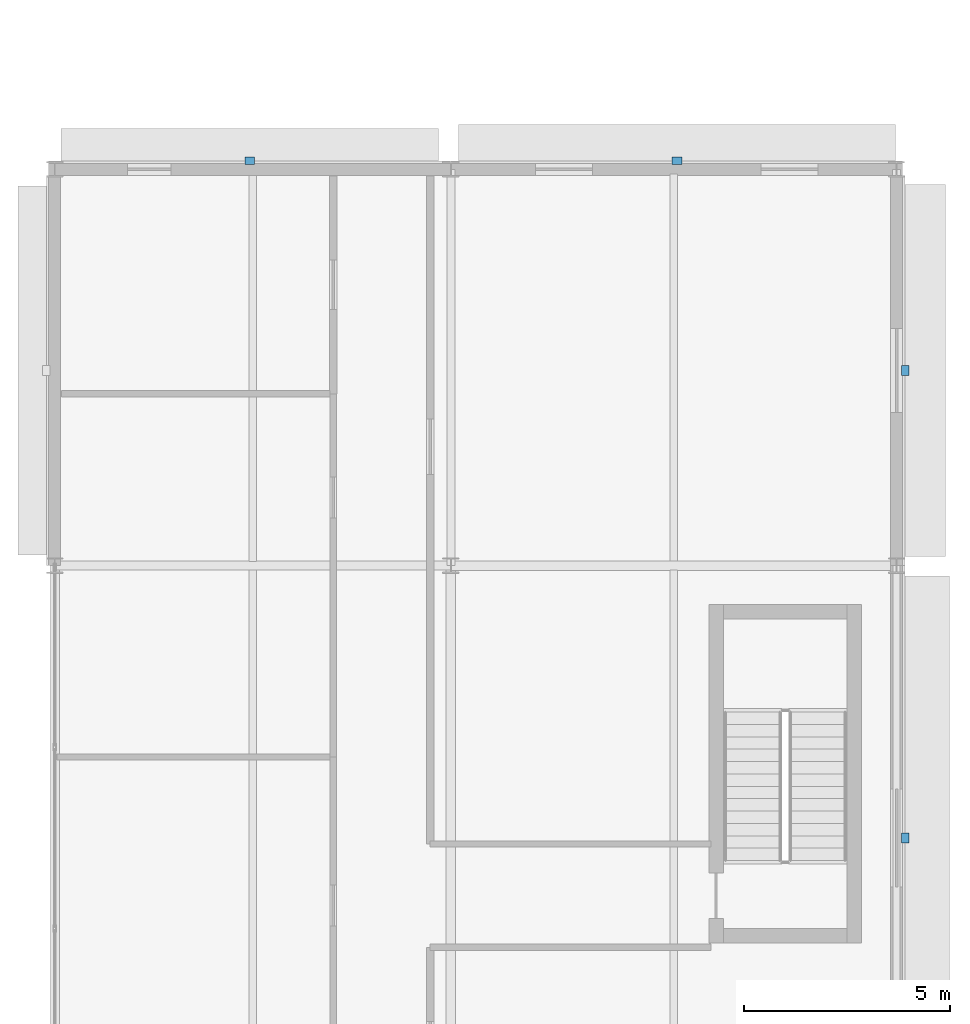
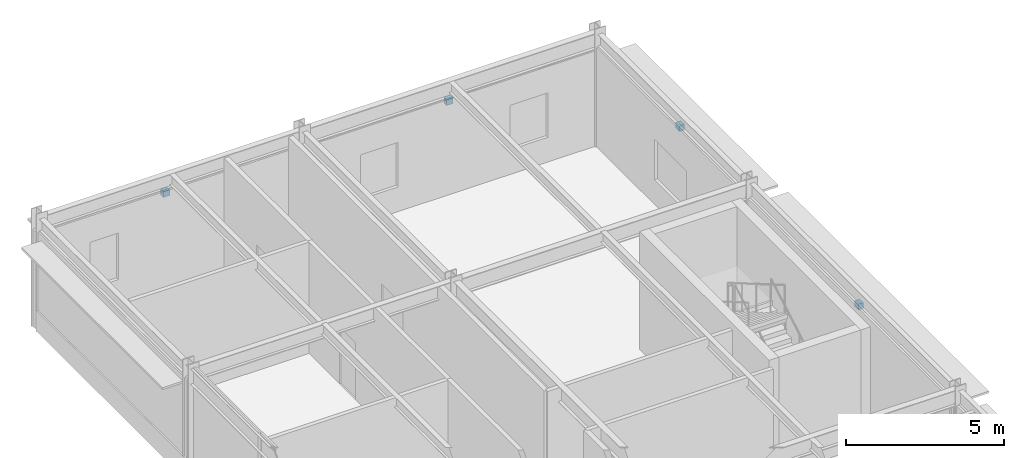
# One storey, part 99 of 116: 4 discrete accessories.
"""IFC4 building model written with IfcOpenShell, lengths in metres."""

import ifcopenshell
import ifcopenshell.guid

model = None  # the IFC model being written
_history = None  # IfcOwnerHistory: only IFC2X3 demands one
_inside = {}  # id of a spatial element -> (the spatial element, [elements in it])
_under = {}  # id of a project, library or spatial element -> (it, [spatial elements below it])
_declared = {}  # id of a project -> (the project, [libraries it declares])
_typed = {}  # id of a type object -> (the type object, [elements of that type])
_made_of = {}  # id of a material, layer set ... -> (it, [elements and type objects made of it])


def new_model(schema):
    """Start an empty IFC model of exactly this schema.

    Asked for "IFC4X3", IfcOpenShell would pick the latest addendum, in which some entities
    have other attributes; the version numbers below select the first issue.
    IFC2X3 requires an IfcOwnerHistory on every rooted entity: one is made here for all.
    """
    global model, _history
    if schema == "IFC4X3":
        model = ifcopenshell.file(schema_version=(4, 3, 0, 0))
    else:
        model = ifcopenshell.file(schema=schema)
    _inside.clear()
    _under.clear()
    _declared.clear()
    _typed.clear()
    _made_of.clear()
    _history = None
    if model.schema == "IFC2X3":
        org = make("IfcOrganization", Name="unknown")
        user = make(
            "IfcPersonAndOrganization",
            ThePerson=make("IfcPerson", FamilyName="unknown"),
            TheOrganization=org,
        )
        app = make(
            "IfcApplication",
            ApplicationDeveloper=org,
            Version="unknown",
            ApplicationFullName="unknown",
            ApplicationIdentifier="unknown",
        )
        _history = make(
            "IfcOwnerHistory",
            OwningUser=user,
            OwningApplication=app,
            ChangeAction="ADDED",
            CreationDate=0,
        )
    return model


def make(cls, **values):
    """One entity of the class cls with the attributes given. An attribute that is None is left unset."""
    return model.create_entity(
        cls, **{name: value for name, value in values.items() if value is not None}
    )


def rooted(cls, **values):
    """An entity with a GlobalId (a new one), such as an element, a storey or a relation."""
    return make(cls, GlobalId=ifcopenshell.guid.new(), OwnerHistory=_history, **values)


def si_unit(unit_type, name, prefix=None):
    """IfcSIUnit, for example si_unit("LENGTHUNIT", "METRE", prefix="MILLI")."""
    return make("IfcSIUnit", UnitType=unit_type, Prefix=prefix, Name=name)


def assignment(units):
    """IfcUnitAssignment: the units of a project."""
    return None if units is None else make("IfcUnitAssignment", Units=units)


def point(xyz):
    """IfcCartesianPoint."""
    return None if xyz is None else make("IfcCartesianPoint", Coordinates=xyz)


def direction(xyz):
    """IfcDirection."""
    return None if xyz is None else make("IfcDirection", DirectionRatios=xyz)


def frame(location, z_axis=None, x_axis=None):
    """IfcAxis2Placement3D, a coordinate frame: its origin and axes. An axis left out is left unset."""
    return make(
        "IfcAxis2Placement3D",
        Location=point(location),
        Axis=direction(z_axis),
        RefDirection=direction(x_axis),
    )


def frame_2d(location, x_axis=None):
    """IfcAxis2Placement2D, a coordinate frame in the plane: its origin and x axis."""
    return make(
        "IfcAxis2Placement2D", Location=point(location), RefDirection=direction(x_axis)
    )


def origin():
    """The frame at (0, 0, 0) with its axes left unset."""
    return frame((0.0, 0.0, 0.0))


def origin_2d():
    """The frame at (0, 0) in the plane with its x axis left unset."""
    return frame_2d((0.0, 0.0))


def place(relative_to, where):
    """IfcLocalPlacement: puts the frame where relative to a parent placement (None: the world)."""
    return make(
        "IfcLocalPlacement", PlacementRelTo=relative_to, RelativePlacement=where
    )


def context(
    kind, dimensions, precision=None, world=None, true_north=None, identifier=None
):
    """IfcGeometricRepresentationContext, for example the 3D "Model" context."""
    return make(
        "IfcGeometricRepresentationContext",
        ContextIdentifier=identifier,
        ContextType=kind,
        CoordinateSpaceDimension=dimensions,
        Precision=precision,
        WorldCoordinateSystem=world,
        TrueNorth=true_north,
    )


def subcontext(parent, identifier, kind, view, scale=None):
    """IfcGeometricRepresentationSubContext, for example "Body" below "Model"."""
    return make(
        "IfcGeometricRepresentationSubContext",
        ContextIdentifier=identifier,
        ContextType=kind,
        ParentContext=parent,
        TargetScale=scale,
        TargetView=view,
    )


def project(units=None, contexts=None):
    """IfcProject with its units and contexts."""
    return rooted(
        "IfcProject",
        Name="project",
        RepresentationContexts=contexts,
        UnitsInContext=assignment(units),
    )


def spatial(cls, under=None, at=None, **own):
    """A site, building, storey or space (cls), placed at a placement, below another one or the project."""
    s = rooted(cls, ObjectPlacement=at, **own)
    if under is not None:
        _under.setdefault(under.id(), (under, []))[1].append(s)
    return s


def profile(cls, at=None, kind="AREA", **sizes):
    """A parametric profile (cls). Its sizes go by their IFC names, for example OverallWidth=200.0."""
    return make(cls, ProfileType=kind, Position=at, **sizes)


def rectangle(**sizes):
    """IfcRectangleProfileDef."""
    return profile("IfcRectangleProfileDef", **sizes)


def extrude(swept, where, along, depth):
    """IfcExtrudedAreaSolid: the profile swept, set in the frame where, extruded along a direction by depth."""
    return make(
        "IfcExtrudedAreaSolid",
        SweptArea=swept,
        Position=where,
        ExtrudedDirection=direction(along),
        Depth=depth,
    )


def shape(context_of_items, identifier, shape_type, items):
    """IfcShapeRepresentation: the items that make up one representation, for example the "Body"."""
    return make(
        "IfcShapeRepresentation",
        ContextOfItems=context_of_items,
        RepresentationIdentifier=identifier,
        RepresentationType=shape_type,
        Items=items,
    )


def material(Name=None, Category=None):
    """IfcMaterial."""
    return make("IfcMaterial", Name=Name, Category=Category)


def layer(
    of_material, thickness, ventilated=None, Name=None, Category=None, Priority=None
):
    """IfcMaterialLayer: one layer of a wall or slab, of a material (None: an air gap)."""
    return make(
        "IfcMaterialLayer",
        Material=of_material,
        LayerThickness=thickness,
        IsVentilated=ventilated,
        Name=Name,
        Category=Category,
        Priority=Priority,
    )


def layer_set(layers, Name=None):
    """IfcMaterialLayerSet."""
    return make("IfcMaterialLayerSet", MaterialLayers=layers, LayerSetName=Name)


def made_of(thing, what):
    """Note that an element or type object is made of a material, layer set ...; save() writes the relation."""
    if what is not None:
        _made_of.setdefault(what.id(), (what, []))[1].append(thing)
    return thing


def type_object(cls, material=None, **own):
    """A type object (cls), such as IfcWallType, which elements share."""
    return made_of(rooted(cls, **own), material)


def element(
    cls,
    number,
    at=None,
    inside=None,
    cuts=None,
    type_object=None,
    material=None,
    context=None,
    identifier="Body",
    shape_type=None,
    held_by="IfcProductDefinitionShape",
    body=None,
    shapes=None,
    **own,
):
    """One element of the class cls, such as IfcWall. Its Tag is "e" and its number.

    at: its placement. inside: the storey or other place that contains it. cuts: it is an
    opening in that element (IfcRelVoidsElement). A single representation is given by context,
    identifier, shape_type and body (its items); several are given by shapes. held_by: the class
    of the entity that holds the representations. save() writes the other relations.
    """
    e = rooted(cls, Tag="e%d" % number, ObjectPlacement=at, **own)
    if body is not None:
        shapes = [shape(context, identifier, shape_type, body)]
    if shapes is not None:
        e.Representation = make(held_by, Representations=shapes)
    if inside is not None:
        _inside.setdefault(inside.id(), (inside, []))[1].append(e)
    if cuts is not None:
        rooted(
            "IfcRelVoidsElement", RelatingBuildingElement=cuts, RelatedOpeningElement=e
        )
    if type_object is not None:
        _typed.setdefault(type_object.id(), (type_object, []))[1].append(e)
    return made_of(e, material)


def aggregate(whole, parts):
    """IfcRelAggregates: a whole, such as a stair, and the parts it consists of."""
    return rooted("IfcRelAggregates", RelatingObject=whole, RelatedObjects=parts)


def save(model, path):
    """Write the relations noted so far, then the file.

    IfcRelAggregates (storeys below a building ...), IfcRelContainedInSpatialStructure (elements
    in a storey), IfcRelDefinesByType, IfcRelAssociatesMaterial and IfcRelDeclares: one each for
    every whole, place, type object, material and project.
    """
    for whole, parts in _under.values():
        aggregate(whole, parts)
    for where, things in _inside.values():
        rooted(
            "IfcRelContainedInSpatialStructure",
            RelatedElements=things,
            RelatingStructure=where,
        )
    for kind, things in _typed.values():
        rooted("IfcRelDefinesByType", RelatedObjects=things, RelatingType=kind)
    for what, things in _made_of.values():
        rooted("IfcRelAssociatesMaterial", RelatedObjects=things, RelatingMaterial=what)
    for by, libraries in _declared.values():
        rooted("IfcRelDeclares", RelatingContext=by, RelatedDefinitions=libraries)
    model.write(path)


model = new_model("IFC4")

# Units and contexts
model_context = context("Model", 3, precision=1e-05, world=origin(), true_north=direction((0.0, 1.0)))
body_context = subcontext(model_context, "Body", "Model", "MODEL_VIEW")
ifc_project = project(units=[si_unit("LENGTHUNIT", "METRE"), si_unit("AREAUNIT", "SQUARE_METRE"), si_unit("VOLUMEUNIT", "CUBIC_METRE"), si_unit("PLANEANGLEUNIT", "RADIAN"), si_unit("MASSUNIT", "GRAM", prefix="KILO")], contexts=[model_context])

# Site, building, storey
site_placement = place(None, origin())
site = spatial("IfcSite", under=ifc_project, at=site_placement, CompositionType="ELEMENT")
building_placement = place(site_placement, origin())
building = spatial("IfcBuilding", under=site, at=building_placement, Name="Almandine Court Research Institute", CompositionType="ELEMENT")
storey_placement = place(building_placement, frame((0.0, 0.0, 14.35009765625)))
storey = spatial("IfcBuildingStorey", under=building, at=storey_placement, Name="L03", CompositionType="ELEMENT", Elevation=14.35009765625)

# Discrete accessories
ifc_material = material(Name="Galvanised Steel Facade Outrigger Bracket", Category="steel")
ifc_layer = layer(ifc_material, 0.219970703125)
ifc_layer_set = layer_set([ifc_layer], Name="Galvanised Steel Facade Outrigger Bracket")
discrete_accessory_type = type_object("IfcDiscreteAccessoryType", Name="Acc-CHJ-BRACKET", PredefinedType="BRACKET", material=ifc_layer_set)
for number, where, z_axis, x_axis, name in (
    (1, (158.325927734375, 93.804931640625, 3.333984375), (0.0, 0.0, 1.0), (1.0, 0.0, 0.0), "L03 Chhajja Outrigger Bracket 107"),
    (2, (168.675048828125, 93.804931640625, 3.2568359375), (0.0, 0.0, 1.0), (1.0, 0.0, 0.0), "L03 Chhajja Outrigger Bracket 108"),
    (3, (174.205078125, 88.72705078125, 3.40673828125), (0.0, 0.0, 1.0), (0.0, -1.0, 0.0), "L03 Chhajja Outrigger Bracket 109"),
    (4, (174.205078125, 77.39990234375, 3.3857421875), (0.0, 0.0, 1.0), (0.0, -1.0, 0.0), "L03 Chhajja Outrigger Bracket 110"),
):
    element("IfcDiscreteAccessory", number, at=place(storey_placement, frame(where, z_axis=z_axis, x_axis=x_axis)), inside=storey, type_object=discrete_accessory_type, Name=name, PredefinedType="BRACKET", context=body_context, shape_type="SweptSolid", body=[
        extrude(rectangle(XDim=0.239990234375, YDim=0.179931640625, at=origin_2d()), origin(), (0.0, 0.0, 1.0), 0.219970703125),
    ])

save(model, "model.ifc")
